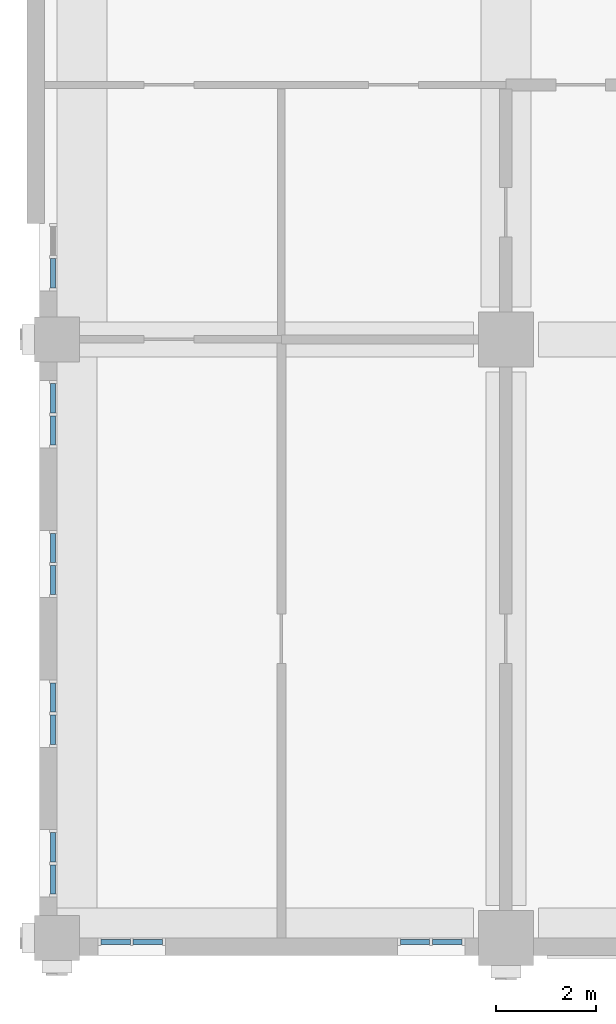
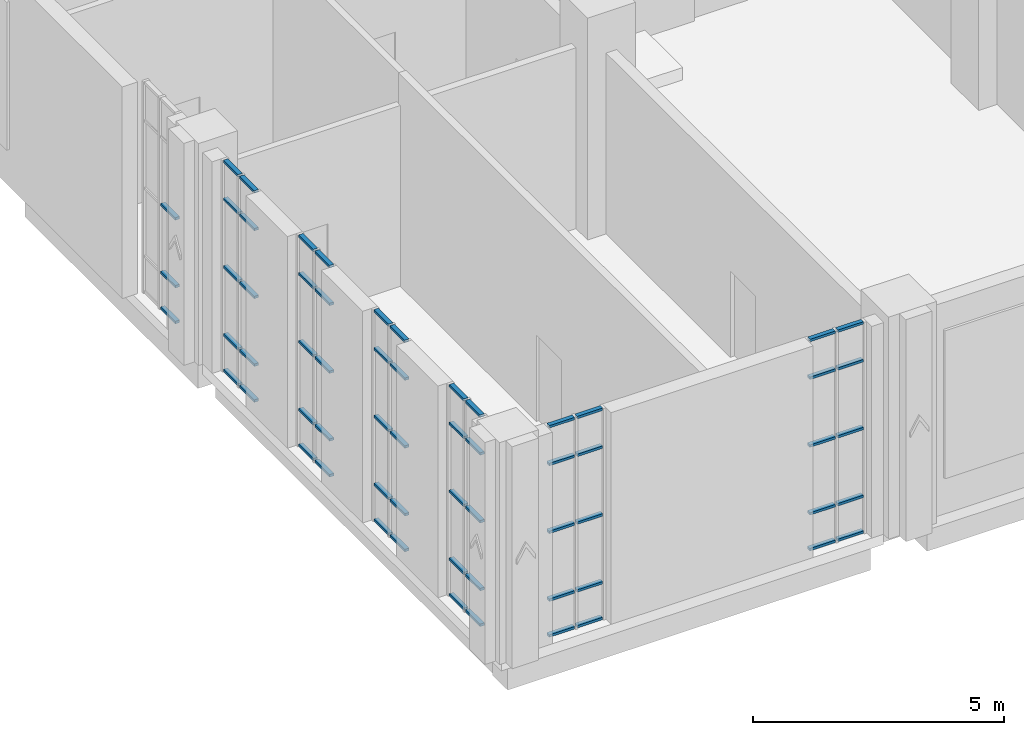
# One storey, part 10 of 33: 63 members, 7 elements without a shape of their own.
"""IFC4 building model written with IfcOpenShell, lengths in metres."""

from ifc_helpers import new_model, si_unit, direction, frame, origin, origin_2d, place, context, subcontext, project, spatial, rectangle, extrude, material, layer, layer_set, material_profile, profile_set, type_object, element, aggregate, save


model = new_model("IFC4")

# Units and contexts
model_context = context("Model", 3, precision=1e-05, world=origin(), true_north=direction((0.0, 1.0)))
body_context = subcontext(model_context, "Body", "Model", "MODEL_VIEW")
ifc_project = project(units=[si_unit("LENGTHUNIT", "METRE"), si_unit("AREAUNIT", "SQUARE_METRE"), si_unit("VOLUMEUNIT", "CUBIC_METRE"), si_unit("PLANEANGLEUNIT", "RADIAN"), si_unit("MASSUNIT", "GRAM", prefix="KILO")], contexts=[model_context])

# Site, building, storey
site_placement = place(None, origin())
site = spatial("IfcSite", under=ifc_project, at=site_placement, CompositionType="ELEMENT")
building_placement = place(site_placement, origin())
building = spatial("IfcBuilding", under=site, at=building_placement, Name="Aurelan Courthouse", CompositionType="ELEMENT")
storey_placement = place(building_placement, frame((0.0, 0.0, 22.800048828125)))
storey = spatial("IfcBuildingStorey", under=building, at=storey_placement, Name="L04", CompositionType="ELEMENT", Elevation=22.800048828125)

# Curtain wall, members
ifc_material_1 = material(Name="Bronze-finished aluminium and glass", Category="aluminium")
ifc_layer = layer(ifc_material_1, 0.14990234375)
ifc_layer_set = layer_set([ifc_layer], Name="Bronze-finished aluminium and glass")
curtain_wall_type = type_object("IfcCurtainWallType", Name="Curtain wall 1350 x 5150", PredefinedType="NOTDEFINED", material=ifc_layer_set)
curtain_wall_1_placement = place(storey_placement, origin())
curtain_wall_1 = element("IfcCurtainWall", 1, at=curtain_wall_1_placement, inside=storey, type_object=curtain_wall_type, Name="Curtain wall CW-V5-L04-S01", PredefinedType="NOTDEFINED")
ifc_material_2 = material(Name="Bronze-finished aluminium", Category="aluminium")
ifc_material_profile = material_profile(ifc_material_2, rectangle(XDim=0.10009765625, YDim=0.06005859375, at=origin_2d()), Name="Bronze transom 60 x 100")
ifc_profile_set = profile_set([ifc_material_profile], Name="Bronze-finished aluminium")
member_type = type_object("IfcMemberType", Name="Curtain wall transom 60 x 100", PredefinedType="USERDEFINED", material=ifc_profile_set)
member_1_placement = place(storey_placement, frame((0.885009765625, -0.074951171875, 0.030029296875), z_axis=(1.0, 0.0, 0.0), x_axis=(0.0, 1.0, 0.0)))
member_1 = element("IfcMember", 2, at=member_1_placement, type_object=member_type, Name="CW-V5-L04-S01 transom 1.1", ObjectType="TRANSOM", PredefinedType="USERDEFINED", context=body_context, shape_type="SweptSolid", body=[
    extrude(rectangle(XDim=0.10009765625, YDim=0.06005859375, at=origin_2d()), origin(), (0.0, 0.0, 1.0), 0.5849609375),
])
member_2_placement = place(storey_placement, frame((0.885009765625, -0.074951171875, 0.89990234375), z_axis=(1.0, 0.0, 0.0), x_axis=(0.0, 1.0, 0.0)))
member_2 = element("IfcMember", 3, at=member_2_placement, type_object=member_type, Name="CW-V5-L04-S01 transom 1.2", ObjectType="TRANSOM", PredefinedType="USERDEFINED", context=body_context, shape_type="SweptSolid", body=[
    extrude(rectangle(XDim=0.10009765625, YDim=0.06005859375, at=origin_2d()), origin(), (0.0, 0.0, 1.0), 0.5849609375),
])
member_3_placement = place(storey_placement, frame((0.885009765625, -0.074951171875, 2.550048828125), z_axis=(1.0, 0.0, 0.0), x_axis=(0.0, 1.0, 0.0)))
member_3 = element("IfcMember", 4, at=member_3_placement, type_object=member_type, Name="CW-V5-L04-S01 transom 1.3", ObjectType="TRANSOM", PredefinedType="USERDEFINED", context=body_context, shape_type="SweptSolid", body=[
    extrude(rectangle(XDim=0.10009765625, YDim=0.06005859375, at=origin_2d()), origin(), (0.0, 0.0, 1.0), 0.5849609375),
])
member_4_placement = place(storey_placement, frame((0.885009765625, -0.074951171875, 4.199951171875), z_axis=(1.0, 0.0, 0.0), x_axis=(0.0, 1.0, 0.0)))
member_4 = element("IfcMember", 5, at=member_4_placement, type_object=member_type, Name="CW-V5-L04-S01 transom 1.4", ObjectType="TRANSOM", PredefinedType="USERDEFINED", context=body_context, shape_type="SweptSolid", body=[
    extrude(rectangle(XDim=0.10009765625, YDim=0.06005859375, at=origin_2d()), origin(), (0.0, 0.0, 1.0), 0.5849609375),
])
member_5_placement = place(storey_placement, frame((0.885009765625, -0.074951171875, 5.119873046875), z_axis=(1.0, 0.0, 0.0), x_axis=(0.0, 1.0, 0.0)))
member_5 = element("IfcMember", 6, at=member_5_placement, type_object=member_type, Name="CW-V5-L04-S01 transom 1.5", ObjectType="TRANSOM", PredefinedType="USERDEFINED", context=body_context, shape_type="SweptSolid", body=[
    extrude(rectangle(XDim=0.10009765625, YDim=0.06005859375, at=origin_2d()), origin(), (0.0, 0.0, 1.0), 0.5849609375),
])
member_6_placement = place(storey_placement, frame((1.530029296875, -0.074951171875, 0.030029296875), z_axis=(1.0, 0.0, 0.0), x_axis=(0.0, 1.0, 0.0)))
member_6 = element("IfcMember", 7, at=member_6_placement, type_object=member_type, Name="CW-V5-L04-S01 transom 2.1", ObjectType="TRANSOM", PredefinedType="USERDEFINED", context=body_context, shape_type="SweptSolid", body=[
    extrude(rectangle(XDim=0.10009765625, YDim=0.06005859375, at=origin_2d()), origin(), (0.0, 0.0, 1.0), 0.5849609375),
])
member_7_placement = place(storey_placement, frame((1.530029296875, -0.074951171875, 0.89990234375), z_axis=(1.0, 0.0, 0.0), x_axis=(0.0, 1.0, 0.0)))
member_7 = element("IfcMember", 8, at=member_7_placement, type_object=member_type, Name="CW-V5-L04-S01 transom 2.2", ObjectType="TRANSOM", PredefinedType="USERDEFINED", context=body_context, shape_type="SweptSolid", body=[
    extrude(rectangle(XDim=0.10009765625, YDim=0.06005859375, at=origin_2d()), origin(), (0.0, 0.0, 1.0), 0.5849609375),
])
member_8_placement = place(storey_placement, frame((1.530029296875, -0.074951171875, 2.550048828125), z_axis=(1.0, 0.0, 0.0), x_axis=(0.0, 1.0, 0.0)))
member_8 = element("IfcMember", 9, at=member_8_placement, type_object=member_type, Name="CW-V5-L04-S01 transom 2.3", ObjectType="TRANSOM", PredefinedType="USERDEFINED", context=body_context, shape_type="SweptSolid", body=[
    extrude(rectangle(XDim=0.10009765625, YDim=0.06005859375, at=origin_2d()), origin(), (0.0, 0.0, 1.0), 0.5849609375),
])
member_9_placement = place(storey_placement, frame((1.530029296875, -0.074951171875, 4.199951171875), z_axis=(1.0, 0.0, 0.0), x_axis=(0.0, 1.0, 0.0)))
member_9 = element("IfcMember", 10, at=member_9_placement, type_object=member_type, Name="CW-V5-L04-S01 transom 2.4", ObjectType="TRANSOM", PredefinedType="USERDEFINED", context=body_context, shape_type="SweptSolid", body=[
    extrude(rectangle(XDim=0.10009765625, YDim=0.06005859375, at=origin_2d()), origin(), (0.0, 0.0, 1.0), 0.5849609375),
])
member_10_placement = place(storey_placement, frame((1.530029296875, -0.074951171875, 5.119873046875), z_axis=(1.0, 0.0, 0.0), x_axis=(0.0, 1.0, 0.0)))
member_10 = element("IfcMember", 11, at=member_10_placement, type_object=member_type, Name="CW-V5-L04-S01 transom 2.5", ObjectType="TRANSOM", PredefinedType="USERDEFINED", context=body_context, shape_type="SweptSolid", body=[
    extrude(rectangle(XDim=0.10009765625, YDim=0.06005859375, at=origin_2d()), origin(), (0.0, 0.0, 1.0), 0.5849609375),
])
aggregate(curtain_wall_1, [member_1, member_2, member_3, member_4, member_5, member_6, member_7, member_8, member_9, member_10])

curtain_wall_2_placement = place(storey_placement, origin())
curtain_wall_2 = element("IfcCurtainWall", 12, at=curtain_wall_2_placement, inside=storey, type_object=curtain_wall_type, Name="Curtain wall CW-V5-L04-S02", PredefinedType="NOTDEFINED")
member_11_placement = place(storey_placement, frame((6.885009765625, -0.074951171875, 0.030029296875), z_axis=(1.0, 0.0, 0.0), x_axis=(0.0, 1.0, 0.0)))
member_11 = element("IfcMember", 13, at=member_11_placement, type_object=member_type, Name="CW-V5-L04-S02 transom 1.1", ObjectType="TRANSOM", PredefinedType="USERDEFINED", context=body_context, shape_type="SweptSolid", body=[
    extrude(rectangle(XDim=0.10009765625, YDim=0.06005859375, at=origin_2d()), origin(), (0.0, 0.0, 1.0), 0.5849609375),
])
member_12_placement = place(storey_placement, frame((6.885009765625, -0.074951171875, 0.89990234375), z_axis=(1.0, 0.0, 0.0), x_axis=(0.0, 1.0, 0.0)))
member_12 = element("IfcMember", 14, at=member_12_placement, type_object=member_type, Name="CW-V5-L04-S02 transom 1.2", ObjectType="TRANSOM", PredefinedType="USERDEFINED", context=body_context, shape_type="SweptSolid", body=[
    extrude(rectangle(XDim=0.10009765625, YDim=0.06005859375, at=origin_2d()), origin(), (0.0, 0.0, 1.0), 0.5849609375),
])
member_13_placement = place(storey_placement, frame((6.885009765625, -0.074951171875, 2.550048828125), z_axis=(1.0, 0.0, 0.0), x_axis=(0.0, 1.0, 0.0)))
member_13 = element("IfcMember", 15, at=member_13_placement, type_object=member_type, Name="CW-V5-L04-S02 transom 1.3", ObjectType="TRANSOM", PredefinedType="USERDEFINED", context=body_context, shape_type="SweptSolid", body=[
    extrude(rectangle(XDim=0.10009765625, YDim=0.06005859375, at=origin_2d()), origin(), (0.0, 0.0, 1.0), 0.5849609375),
])
member_14_placement = place(storey_placement, frame((6.885009765625, -0.074951171875, 4.199951171875), z_axis=(1.0, 0.0, 0.0), x_axis=(0.0, 1.0, 0.0)))
member_14 = element("IfcMember", 16, at=member_14_placement, type_object=member_type, Name="CW-V5-L04-S02 transom 1.4", ObjectType="TRANSOM", PredefinedType="USERDEFINED", context=body_context, shape_type="SweptSolid", body=[
    extrude(rectangle(XDim=0.10009765625, YDim=0.06005859375, at=origin_2d()), origin(), (0.0, 0.0, 1.0), 0.5849609375),
])
member_15_placement = place(storey_placement, frame((6.885009765625, -0.074951171875, 5.119873046875), z_axis=(1.0, 0.0, 0.0), x_axis=(0.0, 1.0, 0.0)))
member_15 = element("IfcMember", 17, at=member_15_placement, type_object=member_type, Name="CW-V5-L04-S02 transom 1.5", ObjectType="TRANSOM", PredefinedType="USERDEFINED", context=body_context, shape_type="SweptSolid", body=[
    extrude(rectangle(XDim=0.10009765625, YDim=0.06005859375, at=origin_2d()), origin(), (0.0, 0.0, 1.0), 0.5849609375),
])
member_16_placement = place(storey_placement, frame((7.530029296875, -0.074951171875, 0.030029296875), z_axis=(1.0, 0.0, 0.0), x_axis=(0.0, 1.0, 0.0)))
member_16 = element("IfcMember", 18, at=member_16_placement, type_object=member_type, Name="CW-V5-L04-S02 transom 2.1", ObjectType="TRANSOM", PredefinedType="USERDEFINED", context=body_context, shape_type="SweptSolid", body=[
    extrude(rectangle(XDim=0.10009765625, YDim=0.06005859375, at=origin_2d()), origin(), (0.0, 0.0, 1.0), 0.5849609375),
])
member_17_placement = place(storey_placement, frame((7.530029296875, -0.074951171875, 0.89990234375), z_axis=(1.0, 0.0, 0.0), x_axis=(0.0, 1.0, 0.0)))
member_17 = element("IfcMember", 19, at=member_17_placement, type_object=member_type, Name="CW-V5-L04-S02 transom 2.2", ObjectType="TRANSOM", PredefinedType="USERDEFINED", context=body_context, shape_type="SweptSolid", body=[
    extrude(rectangle(XDim=0.10009765625, YDim=0.06005859375, at=origin_2d()), origin(), (0.0, 0.0, 1.0), 0.5849609375),
])
member_18_placement = place(storey_placement, frame((7.530029296875, -0.074951171875, 2.550048828125), z_axis=(1.0, 0.0, 0.0), x_axis=(0.0, 1.0, 0.0)))
member_18 = element("IfcMember", 20, at=member_18_placement, type_object=member_type, Name="CW-V5-L04-S02 transom 2.3", ObjectType="TRANSOM", PredefinedType="USERDEFINED", context=body_context, shape_type="SweptSolid", body=[
    extrude(rectangle(XDim=0.10009765625, YDim=0.06005859375, at=origin_2d()), origin(), (0.0, 0.0, 1.0), 0.5849609375),
])
member_19_placement = place(storey_placement, frame((7.530029296875, -0.074951171875, 4.199951171875), z_axis=(1.0, 0.0, 0.0), x_axis=(0.0, 1.0, 0.0)))
member_19 = element("IfcMember", 21, at=member_19_placement, type_object=member_type, Name="CW-V5-L04-S02 transom 2.4", ObjectType="TRANSOM", PredefinedType="USERDEFINED", context=body_context, shape_type="SweptSolid", body=[
    extrude(rectangle(XDim=0.10009765625, YDim=0.06005859375, at=origin_2d()), origin(), (0.0, 0.0, 1.0), 0.5849609375),
])
member_20_placement = place(storey_placement, frame((7.530029296875, -0.074951171875, 5.119873046875), z_axis=(1.0, 0.0, 0.0), x_axis=(0.0, 1.0, 0.0)))
member_20 = element("IfcMember", 22, at=member_20_placement, type_object=member_type, Name="CW-V5-L04-S02 transom 2.5", ObjectType="TRANSOM", PredefinedType="USERDEFINED", context=body_context, shape_type="SweptSolid", body=[
    extrude(rectangle(XDim=0.10009765625, YDim=0.06005859375, at=origin_2d()), origin(), (0.0, 0.0, 1.0), 0.5849609375),
])
aggregate(curtain_wall_2, [member_11, member_12, member_13, member_14, member_15, member_16, member_17, member_18, member_19, member_20])

curtain_wall_3_placement = place(storey_placement, origin())
curtain_wall_3 = element("IfcCurtainWall", 23, at=curtain_wall_3_placement, inside=storey, type_object=curtain_wall_type, Name="Curtain wall CW-V5-L04-W01", PredefinedType="NOTDEFINED")
member_21_placement = place(storey_placement, frame((-0.074951171875, 0.885009765625, 0.030029296875), z_axis=(0.0, 1.0, 0.0), x_axis=(-1.0, 0.0, 0.0)))
member_21 = element("IfcMember", 24, at=member_21_placement, type_object=member_type, Name="CW-V5-L04-W01 transom 1.1", ObjectType="TRANSOM", PredefinedType="USERDEFINED", context=body_context, shape_type="SweptSolid", body=[
    extrude(rectangle(XDim=0.10009765625, YDim=0.06005859375, at=origin_2d()), origin(), (0.0, 0.0, 1.0), 0.5849609375),
])
member_22_placement = place(storey_placement, frame((-0.074951171875, 0.885009765625, 0.89990234375), z_axis=(0.0, 1.0, 0.0), x_axis=(-1.0, 0.0, 0.0)))
member_22 = element("IfcMember", 25, at=member_22_placement, type_object=member_type, Name="CW-V5-L04-W01 transom 1.2", ObjectType="TRANSOM", PredefinedType="USERDEFINED", context=body_context, shape_type="SweptSolid", body=[
    extrude(rectangle(XDim=0.10009765625, YDim=0.06005859375, at=origin_2d()), origin(), (0.0, 0.0, 1.0), 0.5849609375),
])
member_23_placement = place(storey_placement, frame((-0.074951171875, 0.885009765625, 2.550048828125), z_axis=(0.0, 1.0, 0.0), x_axis=(-1.0, 0.0, 0.0)))
member_23 = element("IfcMember", 26, at=member_23_placement, type_object=member_type, Name="CW-V5-L04-W01 transom 1.3", ObjectType="TRANSOM", PredefinedType="USERDEFINED", context=body_context, shape_type="SweptSolid", body=[
    extrude(rectangle(XDim=0.10009765625, YDim=0.06005859375, at=origin_2d()), origin(), (0.0, 0.0, 1.0), 0.5849609375),
])
member_24_placement = place(storey_placement, frame((-0.074951171875, 0.885009765625, 4.199951171875), z_axis=(0.0, 1.0, 0.0), x_axis=(-1.0, 0.0, 0.0)))
member_24 = element("IfcMember", 27, at=member_24_placement, type_object=member_type, Name="CW-V5-L04-W01 transom 1.4", ObjectType="TRANSOM", PredefinedType="USERDEFINED", context=body_context, shape_type="SweptSolid", body=[
    extrude(rectangle(XDim=0.10009765625, YDim=0.06005859375, at=origin_2d()), origin(), (0.0, 0.0, 1.0), 0.5849609375),
])
member_25_placement = place(storey_placement, frame((-0.074951171875, 0.885009765625, 5.119873046875), z_axis=(0.0, 1.0, 0.0), x_axis=(-1.0, 0.0, 0.0)))
member_25 = element("IfcMember", 28, at=member_25_placement, type_object=member_type, Name="CW-V5-L04-W01 transom 1.5", ObjectType="TRANSOM", PredefinedType="USERDEFINED", context=body_context, shape_type="SweptSolid", body=[
    extrude(rectangle(XDim=0.10009765625, YDim=0.06005859375, at=origin_2d()), origin(), (0.0, 0.0, 1.0), 0.5849609375),
])
member_26_placement = place(storey_placement, frame((-0.074951171875, 1.530029296875, 0.030029296875), z_axis=(0.0, 1.0, 0.0), x_axis=(-1.0, 0.0, 0.0)))
member_26 = element("IfcMember", 29, at=member_26_placement, type_object=member_type, Name="CW-V5-L04-W01 transom 2.1", ObjectType="TRANSOM", PredefinedType="USERDEFINED", context=body_context, shape_type="SweptSolid", body=[
    extrude(rectangle(XDim=0.10009765625, YDim=0.06005859375, at=origin_2d()), origin(), (0.0, 0.0, 1.0), 0.5849609375),
])
member_27_placement = place(storey_placement, frame((-0.074951171875, 1.530029296875, 0.89990234375), z_axis=(0.0, 1.0, 0.0), x_axis=(-1.0, 0.0, 0.0)))
member_27 = element("IfcMember", 30, at=member_27_placement, type_object=member_type, Name="CW-V5-L04-W01 transom 2.2", ObjectType="TRANSOM", PredefinedType="USERDEFINED", context=body_context, shape_type="SweptSolid", body=[
    extrude(rectangle(XDim=0.10009765625, YDim=0.06005859375, at=origin_2d()), origin(), (0.0, 0.0, 1.0), 0.5849609375),
])
member_28_placement = place(storey_placement, frame((-0.074951171875, 1.530029296875, 2.550048828125), z_axis=(0.0, 1.0, 0.0), x_axis=(-1.0, 0.0, 0.0)))
member_28 = element("IfcMember", 31, at=member_28_placement, type_object=member_type, Name="CW-V5-L04-W01 transom 2.3", ObjectType="TRANSOM", PredefinedType="USERDEFINED", context=body_context, shape_type="SweptSolid", body=[
    extrude(rectangle(XDim=0.10009765625, YDim=0.06005859375, at=origin_2d()), origin(), (0.0, 0.0, 1.0), 0.5849609375),
])
member_29_placement = place(storey_placement, frame((-0.074951171875, 1.530029296875, 4.199951171875), z_axis=(0.0, 1.0, 0.0), x_axis=(-1.0, 0.0, 0.0)))
member_29 = element("IfcMember", 32, at=member_29_placement, type_object=member_type, Name="CW-V5-L04-W01 transom 2.4", ObjectType="TRANSOM", PredefinedType="USERDEFINED", context=body_context, shape_type="SweptSolid", body=[
    extrude(rectangle(XDim=0.10009765625, YDim=0.06005859375, at=origin_2d()), origin(), (0.0, 0.0, 1.0), 0.5849609375),
])
member_30_placement = place(storey_placement, frame((-0.074951171875, 1.530029296875, 5.119873046875), z_axis=(0.0, 1.0, 0.0), x_axis=(-1.0, 0.0, 0.0)))
member_30 = element("IfcMember", 33, at=member_30_placement, type_object=member_type, Name="CW-V5-L04-W01 transom 2.5", ObjectType="TRANSOM", PredefinedType="USERDEFINED", context=body_context, shape_type="SweptSolid", body=[
    extrude(rectangle(XDim=0.10009765625, YDim=0.06005859375, at=origin_2d()), origin(), (0.0, 0.0, 1.0), 0.5849609375),
])
aggregate(curtain_wall_3, [member_21, member_22, member_23, member_24, member_25, member_26, member_27, member_28, member_29, member_30])

curtain_wall_4_placement = place(storey_placement, origin())
curtain_wall_4 = element("IfcCurtainWall", 34, at=curtain_wall_4_placement, inside=storey, type_object=curtain_wall_type, Name="Curtain wall CW-V5-L04-W02", PredefinedType="NOTDEFINED")
member_31_placement = place(storey_placement, frame((-0.074951171875, 3.885009765625, 0.030029296875), z_axis=(0.0, 1.0, 0.0), x_axis=(-1.0, 0.0, 0.0)))
member_31 = element("IfcMember", 35, at=member_31_placement, type_object=member_type, Name="CW-V5-L04-W02 transom 1.1", ObjectType="TRANSOM", PredefinedType="USERDEFINED", context=body_context, shape_type="SweptSolid", body=[
    extrude(rectangle(XDim=0.10009765625, YDim=0.06005859375, at=origin_2d()), origin(), (0.0, 0.0, 1.0), 0.5849609375),
])
member_32_placement = place(storey_placement, frame((-0.074951171875, 3.885009765625, 0.89990234375), z_axis=(0.0, 1.0, 0.0), x_axis=(-1.0, 0.0, 0.0)))
member_32 = element("IfcMember", 36, at=member_32_placement, type_object=member_type, Name="CW-V5-L04-W02 transom 1.2", ObjectType="TRANSOM", PredefinedType="USERDEFINED", context=body_context, shape_type="SweptSolid", body=[
    extrude(rectangle(XDim=0.10009765625, YDim=0.06005859375, at=origin_2d()), origin(), (0.0, 0.0, 1.0), 0.5849609375),
])
member_33_placement = place(storey_placement, frame((-0.074951171875, 3.885009765625, 2.550048828125), z_axis=(0.0, 1.0, 0.0), x_axis=(-1.0, 0.0, 0.0)))
member_33 = element("IfcMember", 37, at=member_33_placement, type_object=member_type, Name="CW-V5-L04-W02 transom 1.3", ObjectType="TRANSOM", PredefinedType="USERDEFINED", context=body_context, shape_type="SweptSolid", body=[
    extrude(rectangle(XDim=0.10009765625, YDim=0.06005859375, at=origin_2d()), origin(), (0.0, 0.0, 1.0), 0.5849609375),
])
member_34_placement = place(storey_placement, frame((-0.074951171875, 3.885009765625, 4.199951171875), z_axis=(0.0, 1.0, 0.0), x_axis=(-1.0, 0.0, 0.0)))
member_34 = element("IfcMember", 38, at=member_34_placement, type_object=member_type, Name="CW-V5-L04-W02 transom 1.4", ObjectType="TRANSOM", PredefinedType="USERDEFINED", context=body_context, shape_type="SweptSolid", body=[
    extrude(rectangle(XDim=0.10009765625, YDim=0.06005859375, at=origin_2d()), origin(), (0.0, 0.0, 1.0), 0.5849609375),
])
member_35_placement = place(storey_placement, frame((-0.074951171875, 3.885009765625, 5.119873046875), z_axis=(0.0, 1.0, 0.0), x_axis=(-1.0, 0.0, 0.0)))
member_35 = element("IfcMember", 39, at=member_35_placement, type_object=member_type, Name="CW-V5-L04-W02 transom 1.5", ObjectType="TRANSOM", PredefinedType="USERDEFINED", context=body_context, shape_type="SweptSolid", body=[
    extrude(rectangle(XDim=0.10009765625, YDim=0.06005859375, at=origin_2d()), origin(), (0.0, 0.0, 1.0), 0.5849609375),
])
member_36_placement = place(storey_placement, frame((-0.074951171875, 4.530029296875, 0.030029296875), z_axis=(0.0, 1.0, 0.0), x_axis=(-1.0, 0.0, 0.0)))
member_36 = element("IfcMember", 40, at=member_36_placement, type_object=member_type, Name="CW-V5-L04-W02 transom 2.1", ObjectType="TRANSOM", PredefinedType="USERDEFINED", context=body_context, shape_type="SweptSolid", body=[
    extrude(rectangle(XDim=0.10009765625, YDim=0.06005859375, at=origin_2d()), origin(), (0.0, 0.0, 1.0), 0.5849609375),
])
member_37_placement = place(storey_placement, frame((-0.074951171875, 4.530029296875, 0.89990234375), z_axis=(0.0, 1.0, 0.0), x_axis=(-1.0, 0.0, 0.0)))
member_37 = element("IfcMember", 41, at=member_37_placement, type_object=member_type, Name="CW-V5-L04-W02 transom 2.2", ObjectType="TRANSOM", PredefinedType="USERDEFINED", context=body_context, shape_type="SweptSolid", body=[
    extrude(rectangle(XDim=0.10009765625, YDim=0.06005859375, at=origin_2d()), origin(), (0.0, 0.0, 1.0), 0.5849609375),
])
member_38_placement = place(storey_placement, frame((-0.074951171875, 4.530029296875, 2.550048828125), z_axis=(0.0, 1.0, 0.0), x_axis=(-1.0, 0.0, 0.0)))
member_38 = element("IfcMember", 42, at=member_38_placement, type_object=member_type, Name="CW-V5-L04-W02 transom 2.3", ObjectType="TRANSOM", PredefinedType="USERDEFINED", context=body_context, shape_type="SweptSolid", body=[
    extrude(rectangle(XDim=0.10009765625, YDim=0.06005859375, at=origin_2d()), origin(), (0.0, 0.0, 1.0), 0.5849609375),
])
member_39_placement = place(storey_placement, frame((-0.074951171875, 4.530029296875, 4.199951171875), z_axis=(0.0, 1.0, 0.0), x_axis=(-1.0, 0.0, 0.0)))
member_39 = element("IfcMember", 43, at=member_39_placement, type_object=member_type, Name="CW-V5-L04-W02 transom 2.4", ObjectType="TRANSOM", PredefinedType="USERDEFINED", context=body_context, shape_type="SweptSolid", body=[
    extrude(rectangle(XDim=0.10009765625, YDim=0.06005859375, at=origin_2d()), origin(), (0.0, 0.0, 1.0), 0.5849609375),
])
member_40_placement = place(storey_placement, frame((-0.074951171875, 4.530029296875, 5.119873046875), z_axis=(0.0, 1.0, 0.0), x_axis=(-1.0, 0.0, 0.0)))
member_40 = element("IfcMember", 44, at=member_40_placement, type_object=member_type, Name="CW-V5-L04-W02 transom 2.5", ObjectType="TRANSOM", PredefinedType="USERDEFINED", context=body_context, shape_type="SweptSolid", body=[
    extrude(rectangle(XDim=0.10009765625, YDim=0.06005859375, at=origin_2d()), origin(), (0.0, 0.0, 1.0), 0.5849609375),
])
aggregate(curtain_wall_4, [member_31, member_32, member_33, member_34, member_35, member_36, member_37, member_38, member_39, member_40])

curtain_wall_5_placement = place(storey_placement, origin())
curtain_wall_5 = element("IfcCurtainWall", 45, at=curtain_wall_5_placement, inside=storey, type_object=curtain_wall_type, Name="Curtain wall CW-V5-L04-W03", PredefinedType="NOTDEFINED")
member_41_placement = place(storey_placement, frame((-0.074951171875, 6.885009765625, 0.030029296875), z_axis=(0.0, 1.0, 0.0), x_axis=(-1.0, 0.0, 0.0)))
member_41 = element("IfcMember", 46, at=member_41_placement, type_object=member_type, Name="CW-V5-L04-W03 transom 1.1", ObjectType="TRANSOM", PredefinedType="USERDEFINED", context=body_context, shape_type="SweptSolid", body=[
    extrude(rectangle(XDim=0.10009765625, YDim=0.06005859375, at=origin_2d()), origin(), (0.0, 0.0, 1.0), 0.5849609375),
])
member_42_placement = place(storey_placement, frame((-0.074951171875, 6.885009765625, 0.89990234375), z_axis=(0.0, 1.0, 0.0), x_axis=(-1.0, 0.0, 0.0)))
member_42 = element("IfcMember", 47, at=member_42_placement, type_object=member_type, Name="CW-V5-L04-W03 transom 1.2", ObjectType="TRANSOM", PredefinedType="USERDEFINED", context=body_context, shape_type="SweptSolid", body=[
    extrude(rectangle(XDim=0.10009765625, YDim=0.06005859375, at=origin_2d()), origin(), (0.0, 0.0, 1.0), 0.5849609375),
])
member_43_placement = place(storey_placement, frame((-0.074951171875, 6.885009765625, 2.550048828125), z_axis=(0.0, 1.0, 0.0), x_axis=(-1.0, 0.0, 0.0)))
member_43 = element("IfcMember", 48, at=member_43_placement, type_object=member_type, Name="CW-V5-L04-W03 transom 1.3", ObjectType="TRANSOM", PredefinedType="USERDEFINED", context=body_context, shape_type="SweptSolid", body=[
    extrude(rectangle(XDim=0.10009765625, YDim=0.06005859375, at=origin_2d()), origin(), (0.0, 0.0, 1.0), 0.5849609375),
])
member_44_placement = place(storey_placement, frame((-0.074951171875, 6.885009765625, 4.199951171875), z_axis=(0.0, 1.0, 0.0), x_axis=(-1.0, 0.0, 0.0)))
member_44 = element("IfcMember", 49, at=member_44_placement, type_object=member_type, Name="CW-V5-L04-W03 transom 1.4", ObjectType="TRANSOM", PredefinedType="USERDEFINED", context=body_context, shape_type="SweptSolid", body=[
    extrude(rectangle(XDim=0.10009765625, YDim=0.06005859375, at=origin_2d()), origin(), (0.0, 0.0, 1.0), 0.5849609375),
])
member_45_placement = place(storey_placement, frame((-0.074951171875, 6.885009765625, 5.119873046875), z_axis=(0.0, 1.0, 0.0), x_axis=(-1.0, 0.0, 0.0)))
member_45 = element("IfcMember", 50, at=member_45_placement, type_object=member_type, Name="CW-V5-L04-W03 transom 1.5", ObjectType="TRANSOM", PredefinedType="USERDEFINED", context=body_context, shape_type="SweptSolid", body=[
    extrude(rectangle(XDim=0.10009765625, YDim=0.06005859375, at=origin_2d()), origin(), (0.0, 0.0, 1.0), 0.5849609375),
])
member_46_placement = place(storey_placement, frame((-0.074951171875, 7.530029296875, 0.030029296875), z_axis=(0.0, 1.0, 0.0), x_axis=(-1.0, 0.0, 0.0)))
member_46 = element("IfcMember", 51, at=member_46_placement, type_object=member_type, Name="CW-V5-L04-W03 transom 2.1", ObjectType="TRANSOM", PredefinedType="USERDEFINED", context=body_context, shape_type="SweptSolid", body=[
    extrude(rectangle(XDim=0.10009765625, YDim=0.06005859375, at=origin_2d()), origin(), (0.0, 0.0, 1.0), 0.5849609375),
])
member_47_placement = place(storey_placement, frame((-0.074951171875, 7.530029296875, 0.89990234375), z_axis=(0.0, 1.0, 0.0), x_axis=(-1.0, 0.0, 0.0)))
member_47 = element("IfcMember", 52, at=member_47_placement, type_object=member_type, Name="CW-V5-L04-W03 transom 2.2", ObjectType="TRANSOM", PredefinedType="USERDEFINED", context=body_context, shape_type="SweptSolid", body=[
    extrude(rectangle(XDim=0.10009765625, YDim=0.06005859375, at=origin_2d()), origin(), (0.0, 0.0, 1.0), 0.5849609375),
])
member_48_placement = place(storey_placement, frame((-0.074951171875, 7.530029296875, 2.550048828125), z_axis=(0.0, 1.0, 0.0), x_axis=(-1.0, 0.0, 0.0)))
member_48 = element("IfcMember", 53, at=member_48_placement, type_object=member_type, Name="CW-V5-L04-W03 transom 2.3", ObjectType="TRANSOM", PredefinedType="USERDEFINED", context=body_context, shape_type="SweptSolid", body=[
    extrude(rectangle(XDim=0.10009765625, YDim=0.06005859375, at=origin_2d()), origin(), (0.0, 0.0, 1.0), 0.5849609375),
])
member_49_placement = place(storey_placement, frame((-0.074951171875, 7.530029296875, 4.199951171875), z_axis=(0.0, 1.0, 0.0), x_axis=(-1.0, 0.0, 0.0)))
member_49 = element("IfcMember", 54, at=member_49_placement, type_object=member_type, Name="CW-V5-L04-W03 transom 2.4", ObjectType="TRANSOM", PredefinedType="USERDEFINED", context=body_context, shape_type="SweptSolid", body=[
    extrude(rectangle(XDim=0.10009765625, YDim=0.06005859375, at=origin_2d()), origin(), (0.0, 0.0, 1.0), 0.5849609375),
])
member_50_placement = place(storey_placement, frame((-0.074951171875, 7.530029296875, 5.119873046875), z_axis=(0.0, 1.0, 0.0), x_axis=(-1.0, 0.0, 0.0)))
member_50 = element("IfcMember", 55, at=member_50_placement, type_object=member_type, Name="CW-V5-L04-W03 transom 2.5", ObjectType="TRANSOM", PredefinedType="USERDEFINED", context=body_context, shape_type="SweptSolid", body=[
    extrude(rectangle(XDim=0.10009765625, YDim=0.06005859375, at=origin_2d()), origin(), (0.0, 0.0, 1.0), 0.5849609375),
])
aggregate(curtain_wall_5, [member_41, member_42, member_43, member_44, member_45, member_46, member_47, member_48, member_49, member_50])

curtain_wall_6_placement = place(storey_placement, origin())
curtain_wall_6 = element("IfcCurtainWall", 56, at=curtain_wall_6_placement, inside=storey, type_object=curtain_wall_type, Name="Curtain wall CW-V5-L04-W04", PredefinedType="NOTDEFINED")
member_51_placement = place(storey_placement, frame((-0.074951171875, 9.885009765625, 0.030029296875), z_axis=(0.0, 1.0, 0.0), x_axis=(-1.0, 0.0, 0.0)))
member_51 = element("IfcMember", 57, at=member_51_placement, type_object=member_type, Name="CW-V5-L04-W04 transom 1.1", ObjectType="TRANSOM", PredefinedType="USERDEFINED", context=body_context, shape_type="SweptSolid", body=[
    extrude(rectangle(XDim=0.10009765625, YDim=0.06005859375, at=origin_2d()), origin(), (0.0, 0.0, 1.0), 0.5849609375),
])
member_52_placement = place(storey_placement, frame((-0.074951171875, 9.885009765625, 0.89990234375), z_axis=(0.0, 1.0, 0.0), x_axis=(-1.0, 0.0, 0.0)))
member_52 = element("IfcMember", 58, at=member_52_placement, type_object=member_type, Name="CW-V5-L04-W04 transom 1.2", ObjectType="TRANSOM", PredefinedType="USERDEFINED", context=body_context, shape_type="SweptSolid", body=[
    extrude(rectangle(XDim=0.10009765625, YDim=0.06005859375, at=origin_2d()), origin(), (0.0, 0.0, 1.0), 0.5849609375),
])
member_53_placement = place(storey_placement, frame((-0.074951171875, 9.885009765625, 2.550048828125), z_axis=(0.0, 1.0, 0.0), x_axis=(-1.0, 0.0, 0.0)))
member_53 = element("IfcMember", 59, at=member_53_placement, type_object=member_type, Name="CW-V5-L04-W04 transom 1.3", ObjectType="TRANSOM", PredefinedType="USERDEFINED", context=body_context, shape_type="SweptSolid", body=[
    extrude(rectangle(XDim=0.10009765625, YDim=0.06005859375, at=origin_2d()), origin(), (0.0, 0.0, 1.0), 0.5849609375),
])
member_54_placement = place(storey_placement, frame((-0.074951171875, 9.885009765625, 4.199951171875), z_axis=(0.0, 1.0, 0.0), x_axis=(-1.0, 0.0, 0.0)))
member_54 = element("IfcMember", 60, at=member_54_placement, type_object=member_type, Name="CW-V5-L04-W04 transom 1.4", ObjectType="TRANSOM", PredefinedType="USERDEFINED", context=body_context, shape_type="SweptSolid", body=[
    extrude(rectangle(XDim=0.10009765625, YDim=0.06005859375, at=origin_2d()), origin(), (0.0, 0.0, 1.0), 0.5849609375),
])
member_55_placement = place(storey_placement, frame((-0.074951171875, 9.885009765625, 5.119873046875), z_axis=(0.0, 1.0, 0.0), x_axis=(-1.0, 0.0, 0.0)))
member_55 = element("IfcMember", 61, at=member_55_placement, type_object=member_type, Name="CW-V5-L04-W04 transom 1.5", ObjectType="TRANSOM", PredefinedType="USERDEFINED", context=body_context, shape_type="SweptSolid", body=[
    extrude(rectangle(XDim=0.10009765625, YDim=0.06005859375, at=origin_2d()), origin(), (0.0, 0.0, 1.0), 0.5849609375),
])
member_56_placement = place(storey_placement, frame((-0.074951171875, 10.530029296875, 0.030029296875), z_axis=(0.0, 1.0, 0.0), x_axis=(-1.0, 0.0, 0.0)))
member_56 = element("IfcMember", 62, at=member_56_placement, type_object=member_type, Name="CW-V5-L04-W04 transom 2.1", ObjectType="TRANSOM", PredefinedType="USERDEFINED", context=body_context, shape_type="SweptSolid", body=[
    extrude(rectangle(XDim=0.10009765625, YDim=0.06005859375, at=origin_2d()), origin(), (0.0, 0.0, 1.0), 0.5849609375),
])
member_57_placement = place(storey_placement, frame((-0.074951171875, 10.530029296875, 0.89990234375), z_axis=(0.0, 1.0, 0.0), x_axis=(-1.0, 0.0, 0.0)))
member_57 = element("IfcMember", 63, at=member_57_placement, type_object=member_type, Name="CW-V5-L04-W04 transom 2.2", ObjectType="TRANSOM", PredefinedType="USERDEFINED", context=body_context, shape_type="SweptSolid", body=[
    extrude(rectangle(XDim=0.10009765625, YDim=0.06005859375, at=origin_2d()), origin(), (0.0, 0.0, 1.0), 0.5849609375),
])
member_58_placement = place(storey_placement, frame((-0.074951171875, 10.530029296875, 2.550048828125), z_axis=(0.0, 1.0, 0.0), x_axis=(-1.0, 0.0, 0.0)))
member_58 = element("IfcMember", 64, at=member_58_placement, type_object=member_type, Name="CW-V5-L04-W04 transom 2.3", ObjectType="TRANSOM", PredefinedType="USERDEFINED", context=body_context, shape_type="SweptSolid", body=[
    extrude(rectangle(XDim=0.10009765625, YDim=0.06005859375, at=origin_2d()), origin(), (0.0, 0.0, 1.0), 0.5849609375),
])
member_59_placement = place(storey_placement, frame((-0.074951171875, 10.530029296875, 4.199951171875), z_axis=(0.0, 1.0, 0.0), x_axis=(-1.0, 0.0, 0.0)))
member_59 = element("IfcMember", 65, at=member_59_placement, type_object=member_type, Name="CW-V5-L04-W04 transom 2.4", ObjectType="TRANSOM", PredefinedType="USERDEFINED", context=body_context, shape_type="SweptSolid", body=[
    extrude(rectangle(XDim=0.10009765625, YDim=0.06005859375, at=origin_2d()), origin(), (0.0, 0.0, 1.0), 0.5849609375),
])
member_60_placement = place(storey_placement, frame((-0.074951171875, 10.530029296875, 5.119873046875), z_axis=(0.0, 1.0, 0.0), x_axis=(-1.0, 0.0, 0.0)))
member_60 = element("IfcMember", 66, at=member_60_placement, type_object=member_type, Name="CW-V5-L04-W04 transom 2.5", ObjectType="TRANSOM", PredefinedType="USERDEFINED", context=body_context, shape_type="SweptSolid", body=[
    extrude(rectangle(XDim=0.10009765625, YDim=0.06005859375, at=origin_2d()), origin(), (0.0, 0.0, 1.0), 0.5849609375),
])
aggregate(curtain_wall_6, [member_51, member_52, member_53, member_54, member_55, member_56, member_57, member_58, member_59, member_60])

curtain_wall_7_placement = place(storey_placement, origin())
curtain_wall_7 = element("IfcCurtainWall", 67, at=curtain_wall_7_placement, inside=storey, type_object=curtain_wall_type, Name="Curtain wall CW-V5-L04-W05", PredefinedType="NOTDEFINED")
member_61_placement = place(storey_placement, frame((-0.074951171875, 13.034912109375, 0.030029296875), z_axis=(0.0, 1.0, 0.0), x_axis=(-1.0, 0.0, 0.0)))
member_61 = element("IfcMember", 68, at=member_61_placement, type_object=member_type, Name="CW-V5-L04-W05 transom 1.1", ObjectType="TRANSOM", PredefinedType="USERDEFINED", context=body_context, shape_type="SweptSolid", body=[
    extrude(rectangle(XDim=0.10009765625, YDim=0.06005859375, at=origin_2d()), origin(), (0.0, 0.0, 1.0), 0.585205078125),
])
member_62_placement = place(storey_placement, frame((-0.074951171875, 13.034912109375, 0.89990234375), z_axis=(0.0, 1.0, 0.0), x_axis=(-1.0, 0.0, 0.0)))
member_62 = element("IfcMember", 69, at=member_62_placement, type_object=member_type, Name="CW-V5-L04-W05 transom 1.2", ObjectType="TRANSOM", PredefinedType="USERDEFINED", context=body_context, shape_type="SweptSolid", body=[
    extrude(rectangle(XDim=0.10009765625, YDim=0.06005859375, at=origin_2d()), origin(), (0.0, 0.0, 1.0), 0.585205078125),
])
member_63_placement = place(storey_placement, frame((-0.074951171875, 13.034912109375, 2.550048828125), z_axis=(0.0, 1.0, 0.0), x_axis=(-1.0, 0.0, 0.0)))
member_63 = element("IfcMember", 70, at=member_63_placement, type_object=member_type, Name="CW-V5-L04-W05 transom 1.3", ObjectType="TRANSOM", PredefinedType="USERDEFINED", context=body_context, shape_type="SweptSolid", body=[
    extrude(rectangle(XDim=0.10009765625, YDim=0.06005859375, at=origin_2d()), origin(), (0.0, 0.0, 1.0), 0.585205078125),
])
aggregate(curtain_wall_7, [member_61, member_62, member_63])

save(model, "model.ifc")
